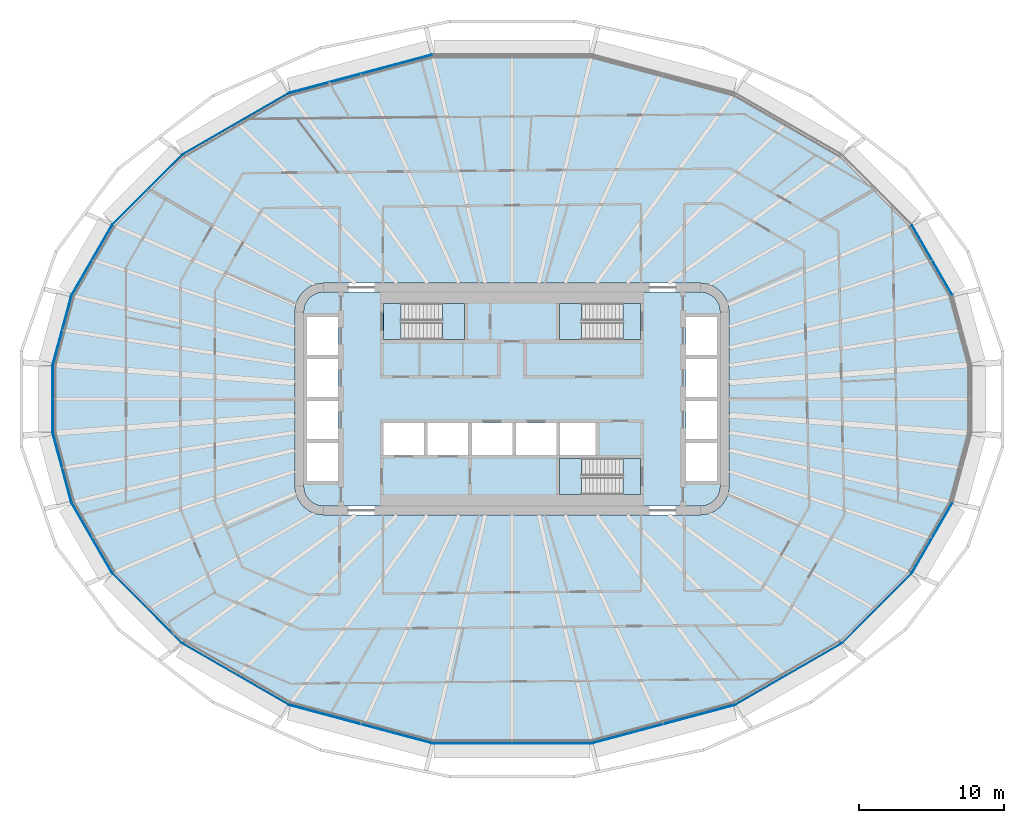
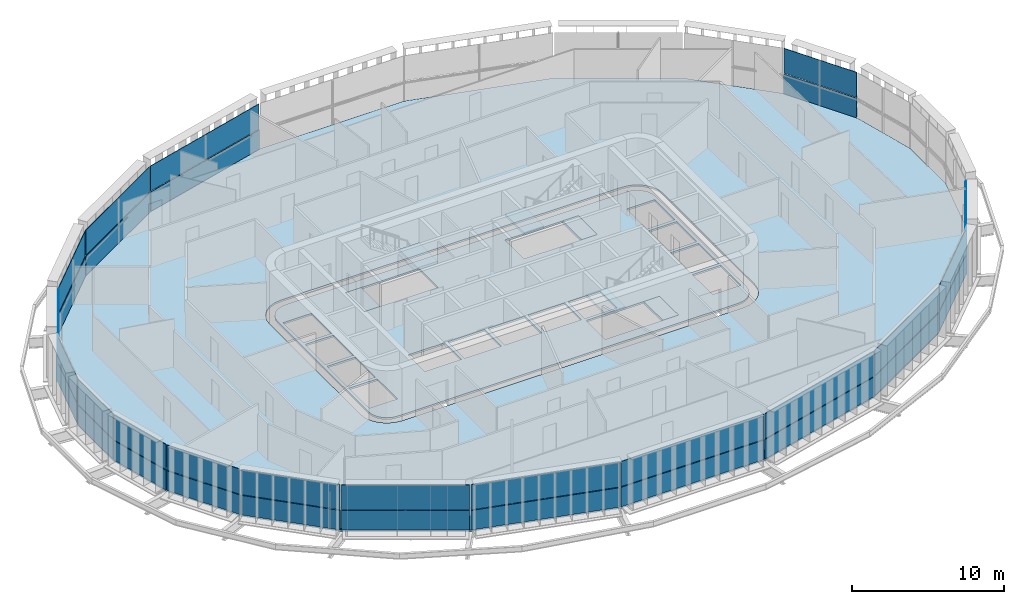
# One storey, part 13 of 26: 34 plates, 8 slabs, 20 elements without a shape of their own.
"""IFC4 building model written with IfcOpenShell, lengths in metres."""

from ifc_helpers import new_model, si_unit, direction, frame, origin, place, context, subcontext, project, spatial, polyline, outline, extrude, material, layer, layer_set, type_object, element, aggregate, save


model = new_model("IFC4")

# Units and contexts
model_context = context("Model", 3, precision=1e-05, world=origin(), true_north=direction((0.0, 1.0)))
body_context = subcontext(model_context, "Body", "Model", "MODEL_VIEW")
ifc_project = project(units=[si_unit("LENGTHUNIT", "METRE"), si_unit("AREAUNIT", "SQUARE_METRE"), si_unit("VOLUMEUNIT", "CUBIC_METRE"), si_unit("PLANEANGLEUNIT", "RADIAN"), si_unit("MASSUNIT", "GRAM", prefix="KILO")], contexts=[model_context])

# Site, building, storey
site_placement = place(None, origin())
site = spatial("IfcSite", under=ifc_project, at=site_placement, CompositionType="ELEMENT")
building_placement = place(site_placement, origin())
building = spatial("IfcBuilding", under=site, at=building_placement, Name="Sahrelin Media Tower", CompositionType="ELEMENT")
storey_placement = place(building_placement, frame((0.0, 0.0, 88.199951171875)))
storey = spatial("IfcBuildingStorey", under=building, at=storey_placement, Name="L16", CompositionType="ELEMENT", Elevation=88.199951171875)

# Slabs
ifc_material_1 = material(Name="Concrete C40/50", Category="concrete")
ifc_layer_1 = layer(ifc_material_1, 0.14990234375)
ifc_layer_set_1 = layer_set([ifc_layer_1], Name="Composite floor slab 150")
slab_type_1 = type_object("IfcSlabType", Name="Composite floor slab 150", PredefinedType="FLOOR", material=ifc_layer_set_1)
placement_1 = place(storey_placement, frame((0.0, 0.0, -0.14990234375)))
element("IfcSlab", 1, at=placement_1, inside=storey, type_object=slab_type_1, Name="Floor slab L16", PredefinedType="FLOOR", context=body_context, shape_type="SweptSolid", body=[
    extrude(outline(polyline([(31.69140625, -2.364013671875), (31.69140625, 2.364013671875), (30.411376953125, 7.140869140625), (27.596923828125, 12.015625), (22.759033203125, 16.853515625), (15.37060546875, 21.119140625), (5.491455078125, 23.766357421875), (-5.491455078125, 23.766357421875), (-15.37060546875, 21.119140625), (-22.759033203125, 16.853515625), (-27.596923828125, 12.015625), (-30.411376953125, 7.140869140625), (-31.69140625, 2.364013671875), (-31.69140625, -2.364013671875), (-30.411376953125, -7.140869140625), (-27.596923828125, -12.015625), (-22.759033203125, -16.853515625), (-15.37060546875, -21.119140625), (-5.491455078125, -23.766357421875), (5.491455078125, -23.766357421875), (15.37060546875, -21.119140625), (22.759033203125, -16.853515625), (27.596923828125, -12.015625), (30.411376953125, -7.140869140625), (31.69140625, -2.364013671875)]), holes=[polyline([(14.931884765625, 6.517578125), (15.0, 6.0), (15.0, -6.0), (14.931884765625, -6.517578125), (14.732177734375, -7.0), (14.414306640625, -7.414306640625), (14.0, -7.732177734375), (13.517578125, -7.931884765625), (13.0, -8.0), (-13.0, -8.0), (-13.517578125, -7.931884765625), (-14.0, -7.732177734375), (-14.414306640625, -7.414306640625), (-14.732177734375, -7.0), (-14.931884765625, -6.517578125), (-15.0, -6.0), (-15.0, 6.0), (-14.931884765625, 6.517578125), (-14.732177734375, 7.0), (-14.414306640625, 7.414306640625), (-14.0, 7.732177734375), (-13.517578125, 7.931884765625), (-13.0, 8.0), (13.0, 8.0), (13.517578125, 7.931884765625), (14.0, 7.732177734375), (14.414306640625, 7.414306640625), (14.732177734375, 7.0), (14.931884765625, 6.517578125)])]), origin(), (0.0, 0.0, 1.0), 0.14990234375),
])
ifc_layer_2 = layer(ifc_material_1, 0.14990234375)
ifc_layer_set_2 = layer_set([ifc_layer_2], Name="Core floor slab 150")
slab_type_2 = type_object("IfcSlabType", Name="Core floor slab 150", PredefinedType="FLOOR", material=ifc_layer_set_2)
element("IfcSlab", 2, at=placement_1, inside=storey, type_object=slab_type_2, Name="Core floor", PredefinedType="FLOOR", context=body_context, shape_type="SweptSolid", body=[
    extrude(outline(polyline([(-14.347412109375, 6.361083984375), (-14.39990234375, 5.960693359375), (-14.39990234375, -5.960693359375), (-14.347412109375, -6.361083984375), (-14.2080078125, -6.697509765625), (-13.986328125, -6.986328125), (-13.697509765625, -7.2080078125), (-13.361083984375, -7.347412109375), (-12.960693359375, -7.39990234375), (12.960693359375, -7.39990234375), (13.361083984375, -7.347412109375), (13.697509765625, -7.2080078125), (13.986328125, -6.986328125), (14.2080078125, -6.697509765625), (14.347412109375, -6.361083984375), (14.39990234375, -5.960693359375), (14.39990234375, 5.960693359375), (14.347412109375, 6.361083984375), (14.2080078125, 6.697509765625), (13.986328125, 6.986328125), (13.697509765625, 7.2080078125), (13.361083984375, 7.347412109375), (12.960693359375, 7.39990234375), (-12.960693359375, 7.39990234375), (-13.361083984375, 7.347412109375), (-13.697509765625, 7.2080078125), (-13.986328125, 6.986328125), (-14.2080078125, 6.697509765625), (-14.347412109375, 6.361083984375)]), holes=[polyline([(-12.0, 3.02490234375), (-12.0, 5.675048828125), (-14.14990234375, 5.675048828125), (-14.14990234375, 3.02490234375), (-12.0, 3.02490234375)]), polyline([(-14.14990234375, 0.125), (-12.0, 0.125), (-12.0, 2.77490234375), (-14.14990234375, 2.77490234375), (-14.14990234375, 0.125)]), polyline([(-14.14990234375, -0.125), (-14.14990234375, -2.77490234375), (-12.0, -2.77490234375), (-12.0, -0.125), (-14.14990234375, -0.125)]), polyline([(-12.0, -3.02490234375), (-14.14990234375, -3.02490234375), (-14.14990234375, -5.675048828125), (-12.0, -5.675048828125), (-12.0, -3.02490234375)]), polyline([(14.14990234375, 3.02490234375), (14.14990234375, 5.675048828125), (12.0, 5.675048828125), (12.0, 3.02490234375), (14.14990234375, 3.02490234375)]), polyline([(12.0, 0.125), (14.14990234375, 0.125), (14.14990234375, 2.77490234375), (12.0, 2.77490234375), (12.0, 0.125)]), polyline([(12.0, -0.125), (12.0, -2.77490234375), (14.14990234375, -2.77490234375), (14.14990234375, -0.125), (12.0, -0.125)]), polyline([(14.14990234375, -3.02490234375), (12.0, -3.02490234375), (12.0, -5.675048828125), (14.14990234375, -5.675048828125), (14.14990234375, -3.02490234375)]), polyline([(-6.074951171875, -3.85009765625), (-6.074951171875, -1.64990234375), (-8.875, -1.64990234375), (-8.875, -3.85009765625), (-6.074951171875, -3.85009765625)]), polyline([(-5.824951171875, -3.85009765625), (-3.02490234375, -3.85009765625), (-3.02490234375, -1.64990234375), (-5.824951171875, -1.64990234375), (-5.824951171875, -3.85009765625)]), polyline([(-2.77490234375, -1.64990234375), (-2.77490234375, -3.85009765625), (0.02490234375, -3.85009765625), (0.02490234375, -1.64990234375), (-2.77490234375, -1.64990234375)]), polyline([(3.074951171875, -1.64990234375), (0.27490234375, -1.64990234375), (0.27490234375, -3.85009765625), (3.074951171875, -3.85009765625), (3.074951171875, -1.64990234375)]), polyline([(5.77490234375, -3.85009765625), (5.77490234375, -1.64990234375), (3.324951171875, -1.64990234375), (3.324951171875, -3.85009765625), (5.77490234375, -3.85009765625)]), polyline([(-8.875, 6.60009765625), (-8.875, 4.10009765625), (-3.27490234375, 4.10009765625), (-3.27490234375, 6.60009765625), (-8.875, 6.60009765625)]), polyline([(3.27490234375, 4.10009765625), (8.875, 4.10009765625), (8.875, 6.60009765625), (3.27490234375, 6.60009765625), (3.27490234375, 4.10009765625)]), polyline([(3.27490234375, -4.10009765625), (3.27490234375, -6.60009765625), (8.875, -6.60009765625), (8.875, -4.10009765625), (3.27490234375, -4.10009765625)])]), origin(), (0.0, 0.0, 1.0), 0.14990234375),
])

# Curtain wall, plate
ifc_material_2 = material(Name="Champagne anodised aluminium 6063-T6", Category="aluminium")
ifc_layer_3 = layer(ifc_material_2, 0.14990234375)
ifc_layer_set_3 = layer_set([ifc_layer_3], Name="Tower ribbon curtain wall")
curtain_wall_type = type_object("IfcCurtainWallType", Name="Tower ribbon curtain wall", PredefinedType="NOTDEFINED", material=ifc_layer_set_3)
curtain_wall_1_placement = place(storey_placement, frame((29.021484375, 9.58837890625, 0.0), z_axis=(0.0, 0.0, 1.0), x_axis=(1.0, 0.0, 0.0)))
curtain_wall_1 = element("IfcCurtainWall", 3, at=curtain_wall_1_placement, inside=storey, type_object=curtain_wall_type, Name="L16:CW:L16-02", PredefinedType="NOTDEFINED")
ifc_material_3 = material(Name="Clear low-iron glazing", Category="glass")
ifc_layer_4 = layer(ifc_material_3, 0.0400390625)
ifc_layer_set_4 = layer_set([ifc_layer_4], Name="Glazing panel 40 mm CW1")
plate_type_1 = type_object("IfcPlateType", Name="Glazing panel 40 mm CW1", PredefinedType="CURTAIN_PANEL", material=ifc_layer_set_4)
plate_1_placement = place(storey_placement, frame((30.42236328125, 7.201904296875, 1.630126953125), z_axis=(0.866024699562, 0.500001219746, 0.0), x_axis=(-0.500001219746, 0.866024699562, 0.0)))
plate_1 = element("IfcPlate", 4, at=plate_1_placement, type_object=plate_type_1, Name="L16:CWP2:L16-02", PredefinedType="CURTAIN_PANEL", context=body_context, shape_type="SweptSolid", body=[
    extrude(outline(polyline([(0.0, 0.0), (5.5341796875, 0.0), (5.5341796875, 2.0185546875), (0.0, 2.0185546875), (0.0, 0.0)])), origin(), (0.0, 0.0, -1.0), 0.0400390625),
])

curtain_wall_2_placement = place(storey_placement, frame((-10.436279296875, 22.462158203125, 0.0), z_axis=(0.0, 0.0, 1.0), x_axis=(1.0, 0.0, 0.0)))
curtain_wall_2 = element("IfcCurtainWall", 5, at=curtain_wall_2_placement, inside=storey, type_object=curtain_wall_type, Name="L16:CW:L16-07", PredefinedType="NOTDEFINED")
plate_2_placement = place(storey_placement, frame((-5.547607421875, 23.792724609375, 1.630126953125), z_axis=(-0.258817176465, 0.965926326987, 0.0), x_axis=(-0.965926326987, -0.258817176465, 0.0)))
plate_2 = element("IfcPlate", 6, at=plate_2_placement, type_object=plate_type_1, Name="L16:CWP2:L16-07", PredefinedType="CURTAIN_PANEL", context=body_context, shape_type="SweptSolid", body=[
    extrude(outline(polyline([(0.0, 0.0), (10.1328125, 0.0), (10.1328125, 2.0185546875), (0.0, 2.0185546875), (0.0, 0.0)])), origin(), (0.0, 0.0, -1.0), 0.0400390625),
])

curtain_wall_3_placement = place(storey_placement, frame((-19.074951171875, 19.003662109375, 0.0), z_axis=(0.0, 0.0, 1.0), x_axis=(1.0, 0.0, 0.0)))
curtain_wall_3 = element("IfcCurtainWall", 7, at=curtain_wall_3_placement, inside=storey, type_object=curtain_wall_type, Name="L16:CW:L16-08", PredefinedType="NOTDEFINED")
plate_3_placement = place(storey_placement, frame((-15.431640625, 21.130126953125, 1.630126953125), z_axis=(-0.500013857328, 0.866017403105, 0.0), x_axis=(-0.866017403105, -0.500013857328, 0.0)))
plate_3 = element("IfcPlate", 8, at=plate_3_placement, type_object=plate_type_1, Name="L16:CWP2:L16-08", PredefinedType="CURTAIN_PANEL", context=body_context, shape_type="SweptSolid", body=[
    extrude(outline(polyline([(0.0, 0.0), (8.436767578125, 0.0), (8.436767578125, 2.0185546875), (0.0, 2.0185546875), (0.0, 0.0)])), origin(), (0.0, 0.0, -1.0), 0.0400390625),
])

curtain_wall_4_placement = place(storey_placement, frame((-25.192138671875, 14.44873046875, 0.0), z_axis=(0.0, 0.0, 1.0), x_axis=(1.0, 0.0, 0.0)))
curtain_wall_4 = element("IfcCurtainWall", 9, at=curtain_wall_4_placement, inside=storey, type_object=curtain_wall_type, Name="L16:CW:L16-09", PredefinedType="NOTDEFINED")
plate_4_placement = place(storey_placement, frame((-22.82080078125, 16.84814453125, 1.630126953125), z_axis=(-0.707088688516, 0.707124873394, 0.0), x_axis=(-0.707124873394, -0.707088688516, 0.0)))
plate_4 = element("IfcPlate", 10, at=plate_4_placement, type_object=plate_type_1, Name="L16:CWP2:L16-09", PredefinedType="CURTAIN_PANEL", context=body_context, shape_type="SweptSolid", body=[
    extrude(outline(polyline([(0.0, 0.0), (6.7470703125, 0.0), (6.7470703125, 2.0185546875), (0.0, 2.0185546875), (0.0, 0.0)])), origin(), (0.0, 0.0, -1.0), 0.0400390625),
])

curtain_wall_5_placement = place(storey_placement, frame((-29.021484375, 9.58837890625, 0.0), z_axis=(0.0, 0.0, 1.0), x_axis=(1.0, 0.0, 0.0)))
curtain_wall_5 = element("IfcCurtainWall", 11, at=curtain_wall_5_placement, inside=storey, type_object=curtain_wall_type, Name="L16:CW:L16-10", PredefinedType="NOTDEFINED")
plate_5_placement = place(storey_placement, frame((-27.6552734375, 11.99462890625, 1.630126953125), z_axis=(-0.866024699562, 0.500001219746, 0.0), x_axis=(-0.500001219746, -0.866024699562, 0.0)))
plate_5 = element("IfcPlate", 12, at=plate_5_placement, type_object=plate_type_1, Name="L16:CWP2:L16-10", PredefinedType="CURTAIN_PANEL", context=body_context, shape_type="SweptSolid", body=[
    extrude(outline(polyline([(0.0, 0.0), (5.5341796875, 0.0), (5.5341796875, 2.0185546875), (0.0, 2.0185546875), (0.0, 0.0)])), origin(), (0.0, 0.0, -1.0), 0.0400390625),
])

curtain_wall_6_placement = place(storey_placement, frame((-31.07080078125, 4.757568359375, 0.0), z_axis=(0.0, 0.0, 1.0), x_axis=(1.0, 0.0, 0.0)))
curtain_wall_6 = element("IfcCurtainWall", 13, at=curtain_wall_6_placement, inside=storey, type_object=curtain_wall_type, Name="L16:CW:L16-11", PredefinedType="NOTDEFINED")
plate_6_placement = place(storey_placement, frame((-30.46240234375, 7.10546875, 1.630126953125), z_axis=(-0.965928505831, 0.258809044708, 0.0), x_axis=(-0.258809044708, -0.965928505831, 0.0)))
plate_6 = element("IfcPlate", 14, at=plate_6_placement, type_object=plate_type_1, Name="L16:CWP2:L16-11", PredefinedType="CURTAIN_PANEL", context=body_context, shape_type="SweptSolid", body=[
    extrude(outline(polyline([(0.0, 0.0), (4.8505859375, 0.0), (4.8505859375, 2.0185546875), (0.0, 2.0185546875), (0.0, 0.0)])), origin(), (0.0, 0.0, -1.0), 0.0400390625),
])

curtain_wall_7_placement = place(storey_placement, frame((-31.711181640625, 0.0, 0.0), z_axis=(0.0, 0.0, 1.0), x_axis=(1.0, 0.0, 0.0)))
curtain_wall_7 = element("IfcCurtainWall", 15, at=curtain_wall_7_placement, inside=storey, type_object=curtain_wall_type, Name="L16:CW:L16-12", PredefinedType="NOTDEFINED")
plate_7_placement = place(storey_placement, frame((-31.731201171875, 2.316650390625, 1.630126953125), z_axis=(-1.0, 0.0, 0.0), x_axis=(0.0, -1.0, 0.0)))
plate_7 = element("IfcPlate", 16, at=plate_7_placement, type_object=plate_type_1, Name="L16:CWP2:L16-12", PredefinedType="CURTAIN_PANEL", context=body_context, shape_type="SweptSolid", body=[
    extrude(outline(polyline([(0.0, 0.0), (4.63330078125, 0.0), (4.63330078125, 2.0185546875), (0.0, 2.0185546875), (0.0, 0.0)])), origin(), (0.0, 0.0, -1.0), 0.0400390625),
])

curtain_wall_8_placement = place(storey_placement, frame((-31.07080078125, -4.757568359375, 0.0), z_axis=(0.0, 0.0, 1.0), x_axis=(1.0, 0.0, 0.0)))
curtain_wall_8 = element("IfcCurtainWall", 17, at=curtain_wall_8_placement, inside=storey, type_object=curtain_wall_type, Name="L16:CW:L16-13", PredefinedType="NOTDEFINED")
plate_8_placement = place(storey_placement, frame((-31.7177734375, -2.420166015625, 1.630126953125), z_axis=(-0.965928505831, -0.258809044708, 0.0), x_axis=(0.258809044708, -0.965928505831, 0.0)))
plate_8 = element("IfcPlate", 18, at=plate_8_placement, type_object=plate_type_1, Name="L16:CWP2:L16-13", PredefinedType="CURTAIN_PANEL", context=body_context, shape_type="SweptSolid", body=[
    extrude(outline(polyline([(0.0, 0.0), (4.8505859375, 0.0), (4.8505859375, 2.0185546875), (0.0, 2.0185546875), (0.0, 0.0)])), origin(), (0.0, 0.0, -1.0), 0.0400390625),
])

curtain_wall_9_placement = place(storey_placement, frame((-29.021484375, -9.58837890625, 0.0), z_axis=(0.0, 0.0, 1.0), x_axis=(1.0, 0.0, 0.0)))
curtain_wall_9 = element("IfcCurtainWall", 19, at=curtain_wall_9_placement, inside=storey, type_object=curtain_wall_type, Name="L16:CW:L16-14", PredefinedType="NOTDEFINED")
plate_9_placement = place(storey_placement, frame((-30.42236328125, -7.201904296875, 1.630126953125), z_axis=(-0.866024699562, -0.500001219746, 0.0), x_axis=(0.500001219746, -0.866024699562, 0.0)))
plate_9 = element("IfcPlate", 20, at=plate_9_placement, type_object=plate_type_1, Name="L16:CWP2:L16-14", PredefinedType="CURTAIN_PANEL", context=body_context, shape_type="SweptSolid", body=[
    extrude(outline(polyline([(0.0, 0.0), (5.5341796875, 0.0), (5.5341796875, 2.0185546875), (0.0, 2.0185546875), (0.0, 0.0)])), origin(), (0.0, 0.0, -1.0), 0.0400390625),
])

curtain_wall_10_placement = place(storey_placement, frame((-25.192138671875, -14.448486328125, 0.0), z_axis=(0.0, 0.0, 1.0), x_axis=(1.0, 0.0, 0.0)))
curtain_wall_10 = element("IfcCurtainWall", 21, at=curtain_wall_10_placement, inside=storey, type_object=curtain_wall_type, Name="L16:CW:L16-15", PredefinedType="NOTDEFINED")
plate_10_placement = place(storey_placement, frame((-27.591796875, -12.077392578125, 1.630126953125), z_axis=(-0.707088688516, -0.707124873394, 0.0), x_axis=(0.707124873394, -0.707088688516, 0.0)))
plate_10 = element("IfcPlate", 22, at=plate_10_placement, type_object=plate_type_1, Name="L16:CWP2:L16-15", PredefinedType="CURTAIN_PANEL", context=body_context, shape_type="SweptSolid", body=[
    extrude(outline(polyline([(0.0, 0.0), (6.7470703125, 0.0), (6.7470703125, 2.0185546875), (0.0, 2.0185546875), (0.0, 0.0)])), origin(), (0.0, 0.0, -1.0), 0.0400390625),
])

curtain_wall_11_placement = place(storey_placement, frame((-19.074951171875, -19.003662109375, 0.0), z_axis=(0.0, 0.0, 1.0), x_axis=(1.0, 0.0, 0.0)))
curtain_wall_11 = element("IfcCurtainWall", 23, at=curtain_wall_11_placement, inside=storey, type_object=curtain_wall_type, Name="L16:CW:L16-16", PredefinedType="NOTDEFINED")
plate_11_placement = place(storey_placement, frame((-22.738037109375, -16.91162109375, 1.630126953125), z_axis=(-0.500013857328, -0.866017403105, 0.0), x_axis=(0.866017403105, -0.500013857328, 0.0)))
plate_11 = element("IfcPlate", 24, at=plate_11_placement, type_object=plate_type_1, Name="L16:CWP2:L16-16", PredefinedType="CURTAIN_PANEL", context=body_context, shape_type="SweptSolid", body=[
    extrude(outline(polyline([(0.0, 0.0), (8.436767578125, 0.0), (8.436767578125, 2.0185546875), (0.0, 2.0185546875), (0.0, 0.0)])), origin(), (0.0, 0.0, -1.0), 0.0400390625),
])

curtain_wall_12_placement = place(storey_placement, frame((-10.436279296875, -22.4619140625, 0.0), z_axis=(0.0, 0.0, 1.0), x_axis=(1.0, 0.0, 0.0)))
curtain_wall_12 = element("IfcCurtainWall", 25, at=curtain_wall_12_placement, inside=storey, type_object=curtain_wall_type, Name="L16:CW:L16-17", PredefinedType="NOTDEFINED")
plate_12_placement = place(storey_placement, frame((-15.335205078125, -21.170166015625, 1.630126953125), z_axis=(-0.258817176465, -0.965926326987, 0.0), x_axis=(0.965926326987, -0.258817176465, 0.0)))
plate_12 = element("IfcPlate", 26, at=plate_12_placement, type_object=plate_type_1, Name="L16:CWP2:L16-17", PredefinedType="CURTAIN_PANEL", context=body_context, shape_type="SweptSolid", body=[
    extrude(outline(polyline([(0.0, 0.0), (10.1328125, 0.0), (10.1328125, 2.0185546875), (0.0, 2.0185546875), (0.0, 0.0)])), origin(), (0.0, 0.0, -1.0), 0.0400390625),
])

curtain_wall_13_placement = place(storey_placement, frame((0.0, -23.786376953125, 0.0), z_axis=(0.0, 0.0, 1.0), x_axis=(1.0, 0.0, 0.0)))
curtain_wall_13 = element("IfcCurtainWall", 27, at=curtain_wall_13_placement, inside=storey, type_object=curtain_wall_type, Name="L16:CW:L16-18", PredefinedType="NOTDEFINED")
plate_13_placement = place(storey_placement, frame((-5.444091796875, -23.806396484375, 1.630126953125), z_axis=(0.0, -1.0, 0.0), x_axis=(1.0, 0.0, 0.0)))
plate_13 = element("IfcPlate", 28, at=plate_13_placement, type_object=plate_type_1, Name="L16:CWP2:L16-18", PredefinedType="CURTAIN_PANEL", context=body_context, shape_type="SweptSolid", body=[
    extrude(outline(polyline([(0.0, 0.0), (10.88818359375, 0.0), (10.88818359375, 2.0185546875), (0.0, 2.0185546875), (0.0, 0.0)])), origin(), (0.0, 0.0, -1.0), 0.0400390625),
])

curtain_wall_14_placement = place(storey_placement, frame((10.436279296875, -22.462158203125, 0.0), z_axis=(0.0, 0.0, 1.0), x_axis=(1.0, 0.0, 0.0)))
curtain_wall_14 = element("IfcCurtainWall", 29, at=curtain_wall_14_placement, inside=storey, type_object=curtain_wall_type, Name="L16:CW:L16-19", PredefinedType="NOTDEFINED")
plate_14_placement = place(storey_placement, frame((5.547607421875, -23.792724609375, 1.630126953125), z_axis=(0.258817176465, -0.965926326987, 0.0), x_axis=(0.965926326987, 0.258817176465, 0.0)))
plate_14 = element("IfcPlate", 30, at=plate_14_placement, type_object=plate_type_1, Name="L16:CWP2:L16-19", PredefinedType="CURTAIN_PANEL", context=body_context, shape_type="SweptSolid", body=[
    extrude(outline(polyline([(0.0, 0.0), (10.1328125, 0.0), (10.1328125, 2.0185546875), (0.0, 2.0185546875), (0.0, 0.0)])), origin(), (0.0, 0.0, -1.0), 0.0400390625),
])

curtain_wall_15_placement = place(storey_placement, frame((19.074951171875, -19.003662109375, 0.0), z_axis=(0.0, 0.0, 1.0), x_axis=(1.0, 0.0, 0.0)))
curtain_wall_15 = element("IfcCurtainWall", 31, at=curtain_wall_15_placement, inside=storey, type_object=curtain_wall_type, Name="L16:CW:L16-20", PredefinedType="NOTDEFINED")
plate_15_placement = place(storey_placement, frame((15.431640625, -21.130126953125, 1.630126953125), z_axis=(0.500013857328, -0.866017403105, 0.0), x_axis=(0.866017403105, 0.500013857328, 0.0)))
plate_15 = element("IfcPlate", 32, at=plate_15_placement, type_object=plate_type_1, Name="L16:CWP2:L16-20", PredefinedType="CURTAIN_PANEL", context=body_context, shape_type="SweptSolid", body=[
    extrude(outline(polyline([(0.0, 0.0), (8.436767578125, 0.0), (8.436767578125, 2.0185546875), (0.0, 2.0185546875), (0.0, 0.0)])), origin(), (0.0, 0.0, -1.0), 0.0400390625),
])

curtain_wall_16_placement = place(storey_placement, frame((25.192138671875, -14.44873046875, 0.0), z_axis=(0.0, 0.0, 1.0), x_axis=(1.0, 0.0, 0.0)))
curtain_wall_16 = element("IfcCurtainWall", 33, at=curtain_wall_16_placement, inside=storey, type_object=curtain_wall_type, Name="L16:CW:L16-21", PredefinedType="NOTDEFINED")
plate_16_placement = place(storey_placement, frame((22.82080078125, -16.84814453125, 1.630126953125), z_axis=(0.707088688516, -0.707124873394, 0.0), x_axis=(0.707124873394, 0.707088688516, 0.0)))
plate_16 = element("IfcPlate", 34, at=plate_16_placement, type_object=plate_type_1, Name="L16:CWP2:L16-21", PredefinedType="CURTAIN_PANEL", context=body_context, shape_type="SweptSolid", body=[
    extrude(outline(polyline([(0.0, 0.0), (6.7470703125, 0.0), (6.7470703125, 2.0185546875), (0.0, 2.0185546875), (0.0, 0.0)])), origin(), (0.0, 0.0, -1.0), 0.0400390625),
])

curtain_wall_17_placement = place(storey_placement, frame((29.021484375, -9.58837890625, 0.0), z_axis=(0.0, 0.0, 1.0), x_axis=(1.0, 0.0, 0.0)))
curtain_wall_17 = element("IfcCurtainWall", 35, at=curtain_wall_17_placement, inside=storey, type_object=curtain_wall_type, Name="L16:CW:L16-22", PredefinedType="NOTDEFINED")
plate_17_placement = place(storey_placement, frame((27.6552734375, -11.99462890625, 1.630126953125), z_axis=(0.866024699562, -0.500001219746, 0.0), x_axis=(0.500001219746, 0.866024699562, 0.0)))
plate_17 = element("IfcPlate", 36, at=plate_17_placement, type_object=plate_type_1, Name="L16:CWP2:L16-22", PredefinedType="CURTAIN_PANEL", context=body_context, shape_type="SweptSolid", body=[
    extrude(outline(polyline([(0.0, 0.0), (5.5341796875, 0.0), (5.5341796875, 2.0185546875), (0.0, 2.0185546875), (0.0, 0.0)])), origin(), (0.0, 0.0, -1.0), 0.0400390625),
])

# Plate
ifc_material_4 = material(Name="Insulated spandrel panel")
ifc_layer_5 = layer(ifc_material_4, 0.06005859375)
ifc_layer_set_5 = layer_set([ifc_layer_5], Name="Spandrel panel 60 mm CW1")
plate_type_2 = type_object("IfcPlateType", Name="Spandrel panel 60 mm CW1", PredefinedType="SHEET", material=ifc_layer_set_5)
plate_18_placement = place(storey_placement, frame((30.42236328125, 7.201904296875, 0.0), z_axis=(0.866024699562, 0.500001219746, 0.0), x_axis=(-0.500001219746, 0.866024699562, 0.0)))
plate_18 = element("IfcPlate", 37, at=plate_18_placement, type_object=plate_type_2, Name="L16:CWP1:L16-02", PredefinedType="SHEET", context=body_context, shape_type="SweptSolid", body=[
    extrude(outline(polyline([(0.0, 0.0), (5.5341796875, 0.0), (5.5341796875, 1.570068359375), (0.0, 1.570068359375), (0.0, 0.0)])), origin(), (0.0, 0.0, -1.0), 0.06005859375),
])

aggregate(curtain_wall_1, [plate_18, plate_1])

plate_19_placement = place(storey_placement, frame((-5.547607421875, 23.792724609375, 0.0), z_axis=(-0.258817176465, 0.965926326987, 0.0), x_axis=(-0.965926326987, -0.258817176465, 0.0)))
plate_19 = element("IfcPlate", 38, at=plate_19_placement, type_object=plate_type_2, Name="L16:CWP1:L16-07", PredefinedType="SHEET", context=body_context, shape_type="SweptSolid", body=[
    extrude(outline(polyline([(0.0, 0.0), (10.1328125, 0.0), (10.1328125, 1.570068359375), (0.0, 1.570068359375), (0.0, 0.0)])), origin(), (0.0, 0.0, -1.0), 0.06005859375),
])

aggregate(curtain_wall_2, [plate_19, plate_2])

plate_20_placement = place(storey_placement, frame((-15.431640625, 21.130126953125, 0.0), z_axis=(-0.500013857328, 0.866017403105, 0.0), x_axis=(-0.866017403105, -0.500013857328, 0.0)))
plate_20 = element("IfcPlate", 39, at=plate_20_placement, type_object=plate_type_2, Name="L16:CWP1:L16-08", PredefinedType="SHEET", context=body_context, shape_type="SweptSolid", body=[
    extrude(outline(polyline([(0.0, 0.0), (8.436767578125, 0.0), (8.436767578125, 1.570068359375), (0.0, 1.570068359375), (0.0, 0.0)])), origin(), (0.0, 0.0, -1.0), 0.06005859375),
])

aggregate(curtain_wall_3, [plate_20, plate_3])

plate_21_placement = place(storey_placement, frame((-22.82080078125, 16.84814453125, 0.0), z_axis=(-0.707088688516, 0.707124873394, 0.0), x_axis=(-0.707124873394, -0.707088688516, 0.0)))
plate_21 = element("IfcPlate", 40, at=plate_21_placement, type_object=plate_type_2, Name="L16:CWP1:L16-09", PredefinedType="SHEET", context=body_context, shape_type="SweptSolid", body=[
    extrude(outline(polyline([(0.0, 0.0), (6.7470703125, 0.0), (6.7470703125, 1.570068359375), (0.0, 1.570068359375), (0.0, 0.0)])), origin(), (0.0, 0.0, -1.0), 0.06005859375),
])

aggregate(curtain_wall_4, [plate_21, plate_4])

plate_22_placement = place(storey_placement, frame((-27.6552734375, 11.99462890625, 0.0), z_axis=(-0.866024699562, 0.500001219746, 0.0), x_axis=(-0.500001219746, -0.866024699562, 0.0)))
plate_22 = element("IfcPlate", 41, at=plate_22_placement, type_object=plate_type_2, Name="L16:CWP1:L16-10", PredefinedType="SHEET", context=body_context, shape_type="SweptSolid", body=[
    extrude(outline(polyline([(0.0, 0.0), (5.5341796875, 0.0), (5.5341796875, 1.570068359375), (0.0, 1.570068359375), (0.0, 0.0)])), origin(), (0.0, 0.0, -1.0), 0.06005859375),
])

aggregate(curtain_wall_5, [plate_22, plate_5])

plate_23_placement = place(storey_placement, frame((-30.46240234375, 7.10546875, 0.0), z_axis=(-0.965928505831, 0.258809044708, 0.0), x_axis=(-0.258809044708, -0.965928505831, 0.0)))
plate_23 = element("IfcPlate", 42, at=plate_23_placement, type_object=plate_type_2, Name="L16:CWP1:L16-11", PredefinedType="SHEET", context=body_context, shape_type="SweptSolid", body=[
    extrude(outline(polyline([(0.0, 0.0), (4.8505859375, 0.0), (4.8505859375, 1.570068359375), (0.0, 1.570068359375), (0.0, 0.0)])), origin(), (0.0, 0.0, -1.0), 0.06005859375),
])

aggregate(curtain_wall_6, [plate_23, plate_6])

plate_24_placement = place(storey_placement, frame((-31.731201171875, 2.316650390625, 0.0), z_axis=(-1.0, 0.0, 0.0), x_axis=(0.0, -1.0, 0.0)))
plate_24 = element("IfcPlate", 43, at=plate_24_placement, type_object=plate_type_2, Name="L16:CWP1:L16-12", PredefinedType="SHEET", context=body_context, shape_type="SweptSolid", body=[
    extrude(outline(polyline([(0.0, 0.0), (4.63330078125, 0.0), (4.63330078125, 1.570068359375), (0.0, 1.570068359375), (0.0, 0.0)])), origin(), (0.0, 0.0, -1.0), 0.06005859375),
])

aggregate(curtain_wall_7, [plate_24, plate_7])

plate_25_placement = place(storey_placement, frame((-31.7177734375, -2.420166015625, 0.0), z_axis=(-0.965928505831, -0.258809044708, 0.0), x_axis=(0.258809044708, -0.965928505831, 0.0)))
plate_25 = element("IfcPlate", 44, at=plate_25_placement, type_object=plate_type_2, Name="L16:CWP1:L16-13", PredefinedType="SHEET", context=body_context, shape_type="SweptSolid", body=[
    extrude(outline(polyline([(0.0, 0.0), (4.8505859375, 0.0), (4.8505859375, 1.570068359375), (0.0, 1.570068359375), (0.0, 0.0)])), origin(), (0.0, 0.0, -1.0), 0.06005859375),
])

aggregate(curtain_wall_8, [plate_25, plate_8])

plate_26_placement = place(storey_placement, frame((-30.42236328125, -7.201904296875, 0.0), z_axis=(-0.866024699562, -0.500001219746, 0.0), x_axis=(0.500001219746, -0.866024699562, 0.0)))
plate_26 = element("IfcPlate", 45, at=plate_26_placement, type_object=plate_type_2, Name="L16:CWP1:L16-14", PredefinedType="SHEET", context=body_context, shape_type="SweptSolid", body=[
    extrude(outline(polyline([(0.0, 0.0), (5.5341796875, 0.0), (5.5341796875, 1.570068359375), (0.0, 1.570068359375), (0.0, 0.0)])), origin(), (0.0, 0.0, -1.0), 0.06005859375),
])

aggregate(curtain_wall_9, [plate_26, plate_9])

plate_27_placement = place(storey_placement, frame((-27.591796875, -12.077392578125, 0.0), z_axis=(-0.707088688516, -0.707124873394, 0.0), x_axis=(0.707124873394, -0.707088688516, 0.0)))
plate_27 = element("IfcPlate", 46, at=plate_27_placement, type_object=plate_type_2, Name="L16:CWP1:L16-15", PredefinedType="SHEET", context=body_context, shape_type="SweptSolid", body=[
    extrude(outline(polyline([(0.0, 0.0), (6.7470703125, 0.0), (6.7470703125, 1.570068359375), (0.0, 1.570068359375), (0.0, 0.0)])), origin(), (0.0, 0.0, -1.0), 0.06005859375),
])

aggregate(curtain_wall_10, [plate_27, plate_10])

plate_28_placement = place(storey_placement, frame((-22.738037109375, -16.91162109375, 0.0), z_axis=(-0.500013857328, -0.866017403105, 0.0), x_axis=(0.866017403105, -0.500013857328, 0.0)))
plate_28 = element("IfcPlate", 47, at=plate_28_placement, type_object=plate_type_2, Name="L16:CWP1:L16-16", PredefinedType="SHEET", context=body_context, shape_type="SweptSolid", body=[
    extrude(outline(polyline([(0.0, 0.0), (8.436767578125, 0.0), (8.436767578125, 1.570068359375), (0.0, 1.570068359375), (0.0, 0.0)])), origin(), (0.0, 0.0, -1.0), 0.06005859375),
])

aggregate(curtain_wall_11, [plate_28, plate_11])

plate_29_placement = place(storey_placement, frame((-15.335205078125, -21.170166015625, 0.0), z_axis=(-0.258817176465, -0.965926326987, 0.0), x_axis=(0.965926326987, -0.258817176465, 0.0)))
plate_29 = element("IfcPlate", 48, at=plate_29_placement, type_object=plate_type_2, Name="L16:CWP1:L16-17", PredefinedType="SHEET", context=body_context, shape_type="SweptSolid", body=[
    extrude(outline(polyline([(0.0, 0.0), (10.1328125, 0.0), (10.1328125, 1.570068359375), (0.0, 1.570068359375), (0.0, 0.0)])), origin(), (0.0, 0.0, -1.0), 0.06005859375),
])

aggregate(curtain_wall_12, [plate_29, plate_12])

plate_30_placement = place(storey_placement, frame((-5.444091796875, -23.806396484375, 0.0), z_axis=(0.0, -1.0, 0.0), x_axis=(1.0, 0.0, 0.0)))
plate_30 = element("IfcPlate", 49, at=plate_30_placement, type_object=plate_type_2, Name="L16:CWP1:L16-18", PredefinedType="SHEET", context=body_context, shape_type="SweptSolid", body=[
    extrude(outline(polyline([(0.0, 0.0), (10.88818359375, 0.0), (10.88818359375, 1.570068359375), (0.0, 1.570068359375), (0.0, 0.0)])), origin(), (0.0, 0.0, -1.0), 0.06005859375),
])

aggregate(curtain_wall_13, [plate_30, plate_13])

plate_31_placement = place(storey_placement, frame((5.547607421875, -23.792724609375, 0.0), z_axis=(0.258817176465, -0.965926326987, 0.0), x_axis=(0.965926326987, 0.258817176465, 0.0)))
plate_31 = element("IfcPlate", 50, at=plate_31_placement, type_object=plate_type_2, Name="L16:CWP1:L16-19", PredefinedType="SHEET", context=body_context, shape_type="SweptSolid", body=[
    extrude(outline(polyline([(0.0, 0.0), (10.1328125, 0.0), (10.1328125, 1.570068359375), (0.0, 1.570068359375), (0.0, 0.0)])), origin(), (0.0, 0.0, -1.0), 0.06005859375),
])

aggregate(curtain_wall_14, [plate_31, plate_14])

plate_32_placement = place(storey_placement, frame((15.431640625, -21.130126953125, 0.0), z_axis=(0.500013857328, -0.866017403105, 0.0), x_axis=(0.866017403105, 0.500013857328, 0.0)))
plate_32 = element("IfcPlate", 51, at=plate_32_placement, type_object=plate_type_2, Name="L16:CWP1:L16-20", PredefinedType="SHEET", context=body_context, shape_type="SweptSolid", body=[
    extrude(outline(polyline([(0.0, 0.0), (8.436767578125, 0.0), (8.436767578125, 1.570068359375), (0.0, 1.570068359375), (0.0, 0.0)])), origin(), (0.0, 0.0, -1.0), 0.06005859375),
])

aggregate(curtain_wall_15, [plate_32, plate_15])

plate_33_placement = place(storey_placement, frame((22.82080078125, -16.84814453125, 0.0), z_axis=(0.707088688516, -0.707124873394, 0.0), x_axis=(0.707124873394, 0.707088688516, 0.0)))
plate_33 = element("IfcPlate", 52, at=plate_33_placement, type_object=plate_type_2, Name="L16:CWP1:L16-21", PredefinedType="SHEET", context=body_context, shape_type="SweptSolid", body=[
    extrude(outline(polyline([(0.0, 0.0), (6.7470703125, 0.0), (6.7470703125, 1.570068359375), (0.0, 1.570068359375), (0.0, 0.0)])), origin(), (0.0, 0.0, -1.0), 0.06005859375),
])

aggregate(curtain_wall_16, [plate_33, plate_16])

plate_34_placement = place(storey_placement, frame((27.6552734375, -11.99462890625, 0.0), z_axis=(0.866024699562, -0.500001219746, 0.0), x_axis=(0.500001219746, 0.866024699562, 0.0)))
plate_34 = element("IfcPlate", 53, at=plate_34_placement, type_object=plate_type_2, Name="L16:CWP1:L16-22", PredefinedType="SHEET", context=body_context, shape_type="SweptSolid", body=[
    extrude(outline(polyline([(0.0, 0.0), (5.5341796875, 0.0), (5.5341796875, 1.570068359375), (0.0, 1.570068359375), (0.0, 0.0)])), origin(), (0.0, 0.0, -1.0), 0.06005859375),
])

aggregate(curtain_wall_17, [plate_34, plate_17])

# Stair, slabs
stair_type = type_object("IfcStairType", Name="Exit stair 1200", PredefinedType="HALF_TURN_STAIR", material=ifc_material_1)
placement_2 = place(storey_placement, origin())
stair_1 = element("IfcStair", 54, at=placement_2, inside=storey, type_object=stair_type, Name="L16 Exit stair ST1", PredefinedType="HALF_TURN_STAIR")
ifc_layer_6 = layer(ifc_material_1, 0.199951171875)
ifc_layer_set_6 = layer_set([ifc_layer_6], Name="Stair landing 200")
slab_type_3 = type_object("IfcSlabType", Name="Stair landing 200", PredefinedType="LANDING", material=ifc_layer_set_6)
placement_3 = place(storey_placement, frame((0.0, 0.0, 1.900146484375)))
slab_3 = element("IfcSlab", 55, at=placement_3, type_object=slab_type_3, Name="ST1 landing 1", PredefinedType="LANDING", context=body_context, shape_type="SweptSolid", body=[
    extrude(outline(polyline([(-4.81494140625, 4.10009765625), (-3.27490234375, 4.10009765625), (-3.27490234375, 6.60009765625), (-4.81494140625, 6.60009765625), (-4.81494140625, 4.10009765625)])), origin(), (0.0, 0.0, 1.0), 0.199951171875),
])
placement_4 = place(storey_placement, frame((0.0, 0.0, -0.199951171875)))
slab_4 = element("IfcSlab", 56, at=placement_4, type_object=slab_type_3, Name="ST1 landing 2", PredefinedType="LANDING", context=body_context, shape_type="SweptSolid", body=[
    extrude(outline(polyline([(-8.875, 4.10009765625), (-7.675048828125, 4.10009765625), (-7.675048828125, 6.60009765625), (-8.875, 6.60009765625), (-8.875, 4.10009765625)])), origin(), (0.0, 0.0, 1.0), 0.199951171875),
])
aggregate(stair_1, [slab_3, slab_4])

stair_2 = element("IfcStair", 57, at=placement_2, inside=storey, type_object=stair_type, Name="L16 Exit stair ST3", PredefinedType="HALF_TURN_STAIR")
slab_5 = element("IfcSlab", 58, at=placement_3, type_object=slab_type_3, Name="ST3 landing 1", PredefinedType="LANDING", context=body_context, shape_type="SweptSolid", body=[
    extrude(outline(polyline([(4.81494140625, 6.60009765625), (3.27490234375, 6.60009765625), (3.27490234375, 4.10009765625), (4.81494140625, 4.10009765625), (4.81494140625, 6.60009765625)])), origin(), (0.0, 0.0, 1.0), 0.199951171875),
])
slab_6 = element("IfcSlab", 59, at=placement_4, type_object=slab_type_3, Name="ST3 landing 2", PredefinedType="LANDING", context=body_context, shape_type="SweptSolid", body=[
    extrude(outline(polyline([(8.875, 6.60009765625), (7.675048828125, 6.60009765625), (7.675048828125, 4.10009765625), (8.875, 4.10009765625), (8.875, 6.60009765625)])), origin(), (0.0, 0.0, 1.0), 0.199951171875),
])
aggregate(stair_2, [slab_5, slab_6])

stair_3 = element("IfcStair", 60, at=placement_2, inside=storey, type_object=stair_type, Name="L16 Exit stair ST2", PredefinedType="HALF_TURN_STAIR")
slab_7 = element("IfcSlab", 61, at=placement_3, type_object=slab_type_3, Name="ST2 landing 1", PredefinedType="LANDING", context=body_context, shape_type="SweptSolid", body=[
    extrude(outline(polyline([(4.81494140625, -4.10009765625), (3.27490234375, -4.10009765625), (3.27490234375, -6.60009765625), (4.81494140625, -6.60009765625), (4.81494140625, -4.10009765625)])), origin(), (0.0, 0.0, 1.0), 0.199951171875),
])
slab_8 = element("IfcSlab", 62, at=placement_4, type_object=slab_type_3, Name="ST2 landing 2", PredefinedType="LANDING", context=body_context, shape_type="SweptSolid", body=[
    extrude(outline(polyline([(8.875, -4.10009765625), (7.675048828125, -4.10009765625), (7.675048828125, -6.60009765625), (8.875, -6.60009765625), (8.875, -4.10009765625)])), origin(), (0.0, 0.0, 1.0), 0.199951171875),
])
aggregate(stair_3, [slab_7, slab_8])

save(model, "model.ifc")
